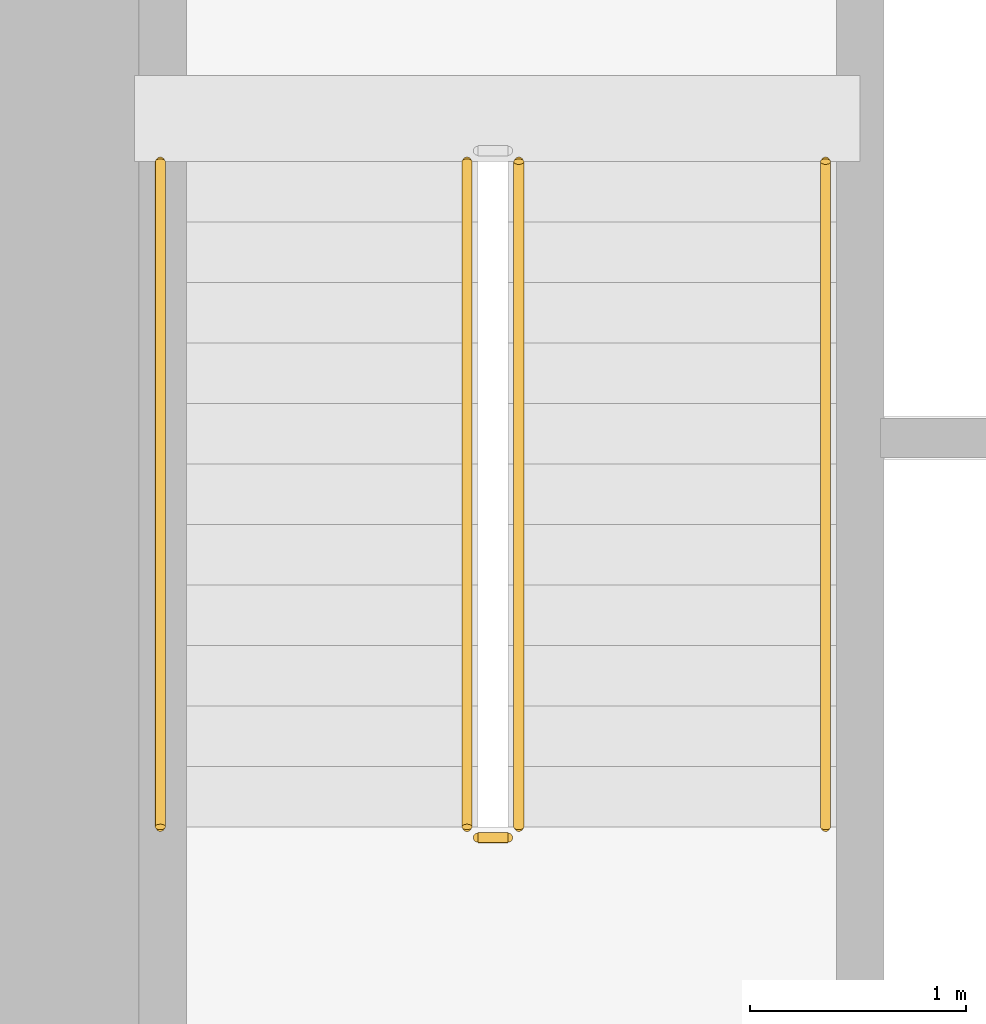
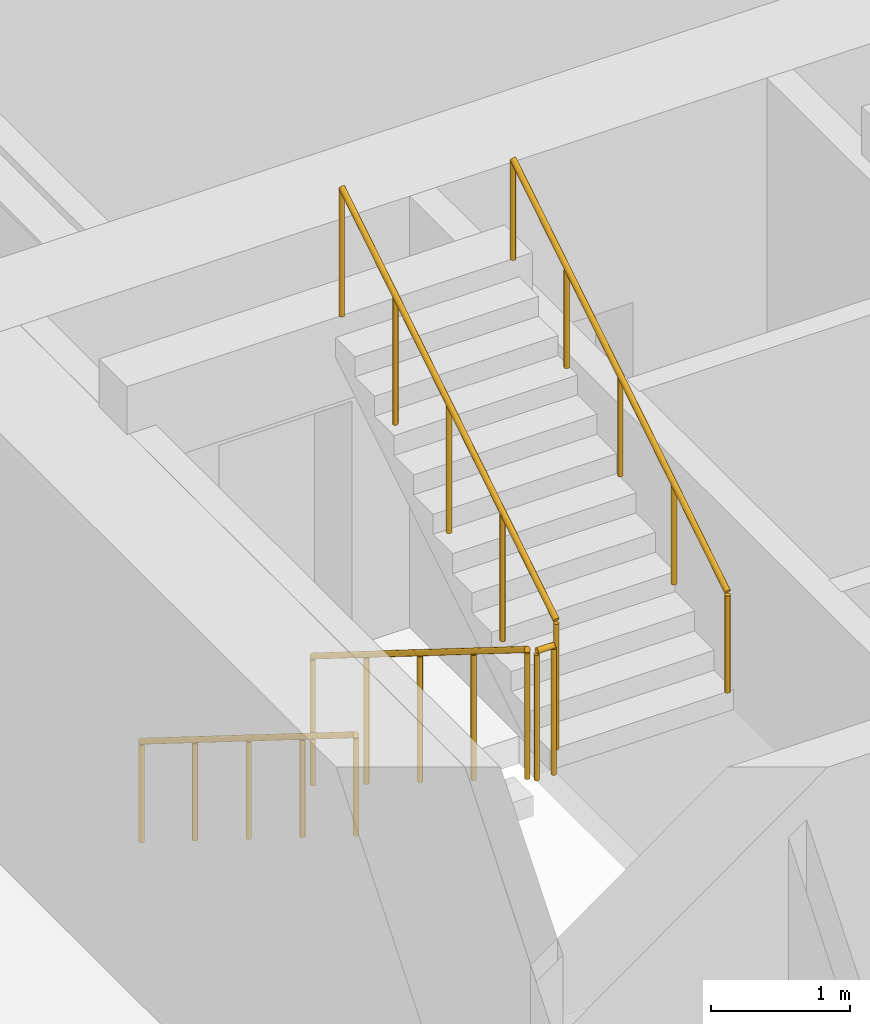
# One storey, part 27 of 32: 5 railings.
"""IFC4 building model written with IfcOpenShell, lengths in metres."""

from ifc_helpers import new_model, si_unit, direction, frame, origin, origin_2d, place, context, subcontext, project, spatial, circle, extrude, material, type_object, element, save


model = new_model("IFC4")

# Units and contexts
model_context = context("Model", 3, precision=1e-05, world=origin(), true_north=direction((0.0, 1.0)))
body_context = subcontext(model_context, "Body", "Model", "MODEL_VIEW")
ifc_project = project(units=[si_unit("LENGTHUNIT", "METRE"), si_unit("AREAUNIT", "SQUARE_METRE"), si_unit("VOLUMEUNIT", "CUBIC_METRE"), si_unit("PLANEANGLEUNIT", "RADIAN"), si_unit("MASSUNIT", "GRAM", prefix="KILO")], contexts=[model_context])

# Site, building, storey
site_placement = place(None, origin())
site = spatial("IfcSite", under=ifc_project, at=site_placement, CompositionType="ELEMENT")
building_placement = place(site_placement, origin())
building = spatial("IfcBuilding", under=site, at=building_placement, Name="Haolan Belvedere Tower", CompositionType="ELEMENT")
storey_placement = place(building_placement, frame((0.0, 0.0, 15.60009765625)))
storey = spatial("IfcBuildingStorey", under=building, at=storey_placement, Name="L03", CompositionType="ELEMENT", Elevation=15.60009765625)

# Railings
ifc_material = material(Name="Brushed stainless steel 304", Category="steel")
railing_type_1 = type_object("IfcRailingType", Name="RL-STAIR-GRD-1150", PredefinedType="GUARDRAIL", material=ifc_material)
railing_1_placement = place(storey_placement, frame((31.919921875, 41.22998046875, 0.1748046875)))
element("IfcRailing", 1, at=railing_1_placement, inside=storey, type_object=railing_type_1, Name="L03 ST1 stair guard 1", PredefinedType="GUARDRAIL", context=body_context, shape_type="SweptSolid", body=[
    extrude(circle(Radius=0.02392578125, at=origin_2d()), frame((0.0, 0.0, 1.1259765625), z_axis=(0.0, -0.847998304005, 0.529998940003), x_axis=(1.0, 0.0, 0.0)), (0.0, 0.0, 1.0), 3.632080078125),
    extrude(circle(Radius=0.02099609375, at=origin_2d()), origin(), (0.0, 0.0, 1.0), 1.101806640625),
    extrude(circle(Radius=0.02099609375, at=origin_2d()), frame((0.0, -0.77001953125, 0.481201171875)), (0.0, 0.0, 1.0), 1.101806640625),
    extrude(circle(Radius=0.02099609375, at=origin_2d()), frame((0.0, -1.5400390625, 0.96240234375)), (0.0, 0.0, 1.0), 1.101806640625),
    extrude(circle(Radius=0.02099609375, at=origin_2d()), frame((0.0, -2.31005859375, 1.44384765625)), (0.0, 0.0, 1.0), 1.101806640625),
    extrude(circle(Radius=0.02099609375, at=origin_2d()), frame((0.0, -3.080078125, 1.925048828125)), (0.0, 0.0, 1.0), 1.101806640625),
])
railing_2_placement = place(storey_placement, frame((31.969970703125, 38.10009765625, 2.099853515625)))
element("IfcRailing", 2, at=railing_2_placement, inside=storey, type_object=railing_type_1, Name="L03 ST1 stair guard 2", PredefinedType="GUARDRAIL", context=body_context, shape_type="SweptSolid", body=[
    extrude(circle(Radius=0.02392578125, at=origin_2d()), frame((0.0, 0.0, 1.1259765625), z_axis=(1.0, 0.0, 0.0), x_axis=(0.0, 1.0, 0.0)), (0.0, 0.0, 1.0), 0.14013671875),
    extrude(circle(Radius=0.02099609375, at=origin_2d()), origin(), (0.0, 0.0, 1.0), 1.101806640625),
    extrude(circle(Radius=0.02099609375, at=origin_2d()), frame((0.14013671875, 0.0, 0.0)), (0.0, 0.0, 1.0), 1.101806640625),
])
railing_3_placement = place(storey_placement, frame((32.159912109375, 38.14990234375, 2.27490234375)))
element("IfcRailing", 3, at=railing_3_placement, inside=storey, type_object=railing_type_1, Name="L03 ST1 stair guard 3", PredefinedType="GUARDRAIL", context=body_context, shape_type="SweptSolid", body=[
    extrude(circle(Radius=0.02392578125, at=origin_2d()), frame((0.0, 0.0, 1.1259765625), z_axis=(0.0, 0.847998304005, 0.529998940003), x_axis=(-1.0, 0.0, 0.0)), (0.0, 0.0, 1.0), 3.632080078125),
    extrude(circle(Radius=0.02099609375, at=origin_2d()), origin(), (0.0, 0.0, 1.0), 1.101806640625),
    extrude(circle(Radius=0.02099609375, at=origin_2d()), frame((0.0, 0.77001953125, 0.481201171875)), (0.0, 0.0, 1.0), 1.101806640625),
    extrude(circle(Radius=0.02099609375, at=origin_2d()), frame((0.0, 1.5400390625, 0.96240234375)), (0.0, 0.0, 1.0), 1.101806640625),
    extrude(circle(Radius=0.02099609375, at=origin_2d()), frame((0.0, 2.31005859375, 1.44384765625)), (0.0, 0.0, 1.0), 1.101806640625),
    extrude(circle(Radius=0.02099609375, at=origin_2d()), frame((0.0, 3.080078125, 1.925048828125)), (0.0, 0.0, 1.0), 1.101806640625),
])
railing_type_2 = type_object("IfcRailingType", Name="RL-STAIR-HND-900", PredefinedType="HANDRAIL", material=ifc_material)
railing_4_placement = place(storey_placement, frame((30.5, 41.22998046875, 0.1748046875)))
element("IfcRailing", 4, at=railing_4_placement, inside=storey, type_object=railing_type_2, Name="L03 ST1 stair handrail 1", PredefinedType="HANDRAIL", context=body_context, shape_type="SweptSolid", body=[
    extrude(circle(Radius=0.02392578125, at=origin_2d()), frame((0.0, 0.0, 0.8759765625), z_axis=(0.0, -0.847998304005, 0.529998940003), x_axis=(1.0, 0.0, 0.0)), (0.0, 0.0, 1.0), 3.632080078125),
    extrude(circle(Radius=0.02099609375, at=origin_2d()), origin(), (0.0, 0.0, 1.0), 0.851806640625),
    extrude(circle(Radius=0.02099609375, at=origin_2d()), frame((0.0, -0.77001953125, 0.481201171875)), (0.0, 0.0, 1.0), 0.851806640625),
    extrude(circle(Radius=0.02099609375, at=origin_2d()), frame((0.0, -1.5400390625, 0.96240234375)), (0.0, 0.0, 1.0), 0.851806640625),
    extrude(circle(Radius=0.02099609375, at=origin_2d()), frame((0.0, -2.31005859375, 1.44384765625)), (0.0, 0.0, 1.0), 0.851806640625),
    extrude(circle(Radius=0.02099609375, at=origin_2d()), frame((0.0, -3.080078125, 1.925048828125)), (0.0, 0.0, 1.0), 0.851806640625),
])
railing_5_placement = place(storey_placement, frame((33.580078125, 38.14990234375, 2.27490234375)))
element("IfcRailing", 5, at=railing_5_placement, inside=storey, type_object=railing_type_2, Name="L03 ST1 stair handrail 2", PredefinedType="HANDRAIL", context=body_context, shape_type="SweptSolid", body=[
    extrude(circle(Radius=0.02392578125, at=origin_2d()), frame((0.0, 0.0, 0.8759765625), z_axis=(0.0, 0.847998304005, 0.529998940003), x_axis=(-1.0, 0.0, 0.0)), (0.0, 0.0, 1.0), 3.632080078125),
    extrude(circle(Radius=0.02099609375, at=origin_2d()), origin(), (0.0, 0.0, 1.0), 0.851806640625),
    extrude(circle(Radius=0.02099609375, at=origin_2d()), frame((0.0, 0.77001953125, 0.481201171875)), (0.0, 0.0, 1.0), 0.851806640625),
    extrude(circle(Radius=0.02099609375, at=origin_2d()), frame((0.0, 1.5400390625, 0.96240234375)), (0.0, 0.0, 1.0), 0.851806640625),
    extrude(circle(Radius=0.02099609375, at=origin_2d()), frame((0.0, 2.31005859375, 1.44384765625)), (0.0, 0.0, 1.0), 0.851806640625),
    extrude(circle(Radius=0.02099609375, at=origin_2d()), frame((0.0, 3.080078125, 1.925048828125)), (0.0, 0.0, 1.0), 0.851806640625),
])

save(model, "model.ifc")
